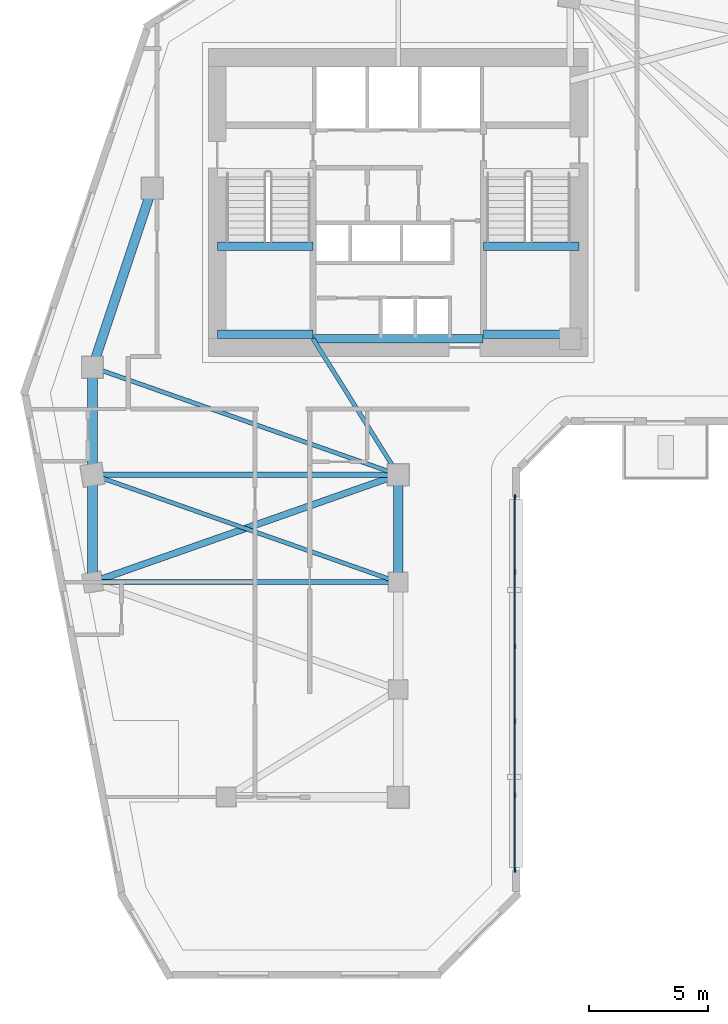
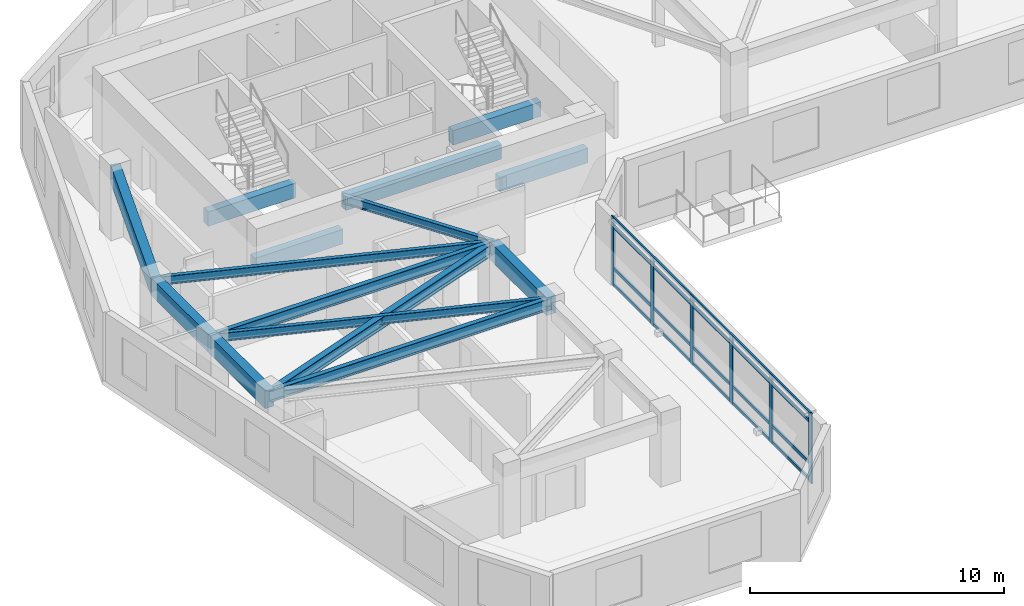
# One storey, part 2 of 12: 15 beams, 10 members, 1 element without a shape of its own.
"""IFC4 building model written with IfcOpenShell, lengths in metres."""

from ifc_helpers import new_model, si_unit, direction, frame, origin, origin_2d, place, context, subcontext, project, spatial, rectangle, i_section, extrude, source, transform, mapped, material, material_profile, profile_set, type_object, element, aggregate, save


model = new_model("IFC4")

# Units and contexts
model_context = context("Model", 3, precision=1e-05, world=origin(), true_north=direction((0.0, 1.0)))
body_context = subcontext(model_context, "Body", "Model", "MODEL_VIEW")
ifc_project = project(units=[si_unit("LENGTHUNIT", "METRE"), si_unit("AREAUNIT", "SQUARE_METRE"), si_unit("VOLUMEUNIT", "CUBIC_METRE"), si_unit("PLANEANGLEUNIT", "RADIAN"), si_unit("MASSUNIT", "GRAM", prefix="KILO")], contexts=[model_context])

# Site, building, storey
site_placement = place(None, origin())
site = spatial("IfcSite", under=ifc_project, at=site_placement, CompositionType="ELEMENT")
building_placement = place(site_placement, origin())
building = spatial("IfcBuilding", under=site, at=building_placement, Name="Calvemar Wedge Station Tower", CompositionType="ELEMENT")
storey_placement = place(building_placement, frame((0.0, 0.0, 135.800048828125)))
storey = spatial("IfcBuildingStorey", under=building, at=storey_placement, Name="L33", CompositionType="ELEMENT", Elevation=135.800048828125)

# Beams
ifc_material_1 = material(Name="Concrete C60", Category="concrete")
ifc_material_profile_1 = material_profile(ifc_material_1, rectangle(XDim=0.39990234375, YDim=0.85009765625, at=origin_2d()), Name="RC400x850")
ifc_profile_set_1 = profile_set([ifc_material_profile_1], Name="Concrete C60")
beam_type_1 = type_object("IfcBeamType", Name="BM-SP1-850", PredefinedType="SPANDREL", material=ifc_profile_set_1)
shared_shape_1 = source(origin(), body_context, "Body", "SweptSolid", [
    extrude(rectangle(XDim=0.39990234375, YDim=0.85009765625, at=origin_2d()), origin(), (0.0, 0.0, 1.0), 7.90576171875),
])
beam_1_placement = place(storey_placement, frame((11.0, 33.0, 2.875), z_axis=(0.316227766017, 0.948683298051, 0.0), x_axis=(-0.948683298051, 0.316227766017, 0.0)))
element("IfcBeam", 1, at=beam_1_placement, inside=storey, type_object=beam_type_1, Name="Storey L33 Spandrel T-NW1-T-NW2", PredefinedType="SPANDREL", context=body_context, shape_type="MappedRepresentation", body=[
    mapped(shared_shape_1, transform((0.0, 0.0, 0.0), scale=1.0)),
])
shared_shape_2 = source(origin(), body_context, "Body", "SweptSolid", [
    extrude(rectangle(XDim=0.39990234375, YDim=0.85009765625, at=origin_2d()), origin(), (0.0, 0.0, 1.0), 4.5),
])
for number, where, z_axis, x_axis, name in (
    (2, (11.0, 33.0, 2.875), (0.0, -1.0, 0.0), (1.0, 0.0, 0.0), "Storey L33 Spandrel T-NW1-T-SW1"),
    (3, (11.0, 28.5, 2.875), (0.0, -1.0, 0.0), (1.0, 0.0, 0.0), "Storey L33 Spandrel T-SW1-T-SW2"),
    (4, (23.800048828125, 28.5, 2.875), (0.0, -1.0, 0.0), (1.0, 0.0, 0.0), "Storey L33 Spandrel T-SE1-T-SE2"),
):
    element("IfcBeam", number, at=place(storey_placement, frame(where, z_axis=z_axis, x_axis=x_axis)), inside=storey, type_object=beam_type_1, Name=name, PredefinedType="SPANDREL", context=body_context, shape_type="MappedRepresentation", body=[
        mapped(shared_shape_2, transform((0.0, 0.0, 0.0), scale=1.0)),
    ])
ifc_material_2 = material(Name="Structural steel ASTM A572 Grade 50", Category="steel")
ifc_material_profile_2 = material_profile(ifc_material_2, i_section(OverallWidth=0.177978515625, OverallDepth=0.406982421875, WebThickness=0.0078125, FlangeThickness=0.0126953125, FilletRadius=0.010009765625, at=origin_2d()), Name="W410x60")
ifc_profile_set_2 = profile_set([ifc_material_profile_2], Name="Structural steel ASTM A572 Grade 50")
beam_type_2 = type_object("IfcBeamType", Name="BM-J3-W410", PredefinedType="JOIST", material=ifc_profile_set_2)
shared_shape_3 = source(origin(), body_context, "Body", "SweptSolid", [
    extrude(i_section(OverallWidth=0.177978515625, OverallDepth=0.406982421875, WebThickness=0.0078125, FlangeThickness=0.0126953125, FilletRadius=0.010009765625, at=origin_2d()), origin(), (0.0, 0.0, 1.0), 13.568115234375),
])
for number, where, z_axis, x_axis, name in (
    (5, (11.0, 33.0, 3.096435546875), (0.943398221169, -0.331662171939, 0.0), (0.331662171939, 0.943398221169, 0.0), "Storey L33 Floor Beam T-NW1-T-SE1"),
    (6, (11.0, 28.5, 3.096435546875), (0.943398221169, -0.331662171939, 0.0), (0.331662171939, 0.943398221169, 0.0), "Storey L33 Floor Beam T-SW1-T-SE2"),
):
    element("IfcBeam", number, at=place(storey_placement, frame(where, z_axis=z_axis, x_axis=x_axis)), inside=storey, type_object=beam_type_2, Name=name, PredefinedType="JOIST", context=body_context, shape_type="MappedRepresentation", body=[
        mapped(shared_shape_3, transform((0.0, 0.0, 0.0), scale=1.0)),
    ])
ifc_material_profile_3 = material_profile(ifc_material_2, i_section(OverallWidth=0.279052734375, OverallDepth=0.553955078125, WebThickness=0.017578125, FlangeThickness=0.029541015625, FilletRadius=0.014892578125, at=origin_2d()), Name="W530x196")
ifc_profile_set_3 = profile_set([ifc_material_profile_3], Name="Structural steel ASTM A572 Grade 50")
beam_type_3 = type_object("IfcBeamType", Name="BM-SB3-W530H", PredefinedType="BEAM", material=ifc_profile_set_3)
shared_shape_4 = source(origin(), body_context, "Body", "SweptSolid", [
    extrude(i_section(OverallWidth=0.279052734375, OverallDepth=0.553955078125, WebThickness=0.017578125, FlangeThickness=0.029541015625, FilletRadius=0.014892578125, at=origin_2d()), origin(), (0.0, 0.0, 1.0), 13.568115234375),
])
beam_2_placement = place(storey_placement, frame((23.800048828125, 28.5, 3.02294921875), z_axis=(-0.943398221169, -0.331662171939, 0.0), x_axis=(0.331662171939, -0.943398221169, 0.0)))
element("IfcBeam", 7, at=beam_2_placement, inside=storey, type_object=beam_type_3, Name="Storey L33 Floor Beam T-SE1-T-SW2", PredefinedType="BEAM", context=body_context, shape_type="MappedRepresentation", body=[
    mapped(shared_shape_4, transform((0.0, 0.0, 0.0), scale=1.0)),
])
shared_shape_5 = source(origin(), body_context, "Body", "SweptSolid", [
    extrude(i_section(OverallWidth=0.177978515625, OverallDepth=0.406982421875, WebThickness=0.0078125, FlangeThickness=0.0126953125, FilletRadius=0.010009765625, at=origin_2d()), origin(), (0.0, 0.0, 1.0), 6.7255859375),
])
beam_3_placement = place(storey_placement, frame((20.22998046875, 34.199951171875, 3.096435546875), z_axis=(0.530811158438, -0.847490126242, 0.0), x_axis=(0.847490126242, 0.530811158438, 0.0)))
element("IfcBeam", 8, at=beam_3_placement, inside=storey, type_object=beam_type_2, Name="Storey L33 Core-to-Column Joist CJ-S2", PredefinedType="JOIST", context=body_context, shape_type="MappedRepresentation", body=[
    mapped(shared_shape_5, transform((0.0, 0.0, 0.0), scale=1.0)),
])
ifc_material_3 = material(Name="Concrete C70", Category="concrete")
ifc_material_profile_4 = material_profile(ifc_material_3, rectangle(XDim=0.35009765625, YDim=0.699951171875, at=origin_2d()), Name="RC350x700")
ifc_profile_set_4 = profile_set([ifc_material_profile_4], Name="Concrete C70")
beam_type_4 = type_object("IfcBeamType", Name="BM-LN1-700", PredefinedType="LINTEL", material=ifc_profile_set_4)
shared_shape_6 = source(origin(), body_context, "Body", "SweptSolid", [
    extrude(rectangle(XDim=0.35009765625, YDim=0.699951171875, at=origin_2d()), origin(), (0.0, 0.0, 1.0), 7.10009765625),
])
beam_4_placement = place(storey_placement, frame((20.25, 34.199951171875, 2.949951171875), z_axis=(1.0, 0.0, 0.0), x_axis=(0.0, 1.0, 0.0)))
element("IfcBeam", 9, at=beam_4_placement, inside=storey, type_object=beam_type_4, Name="Storey L33 Core Coupling Lintel South", PredefinedType="LINTEL", context=body_context, shape_type="MappedRepresentation", body=[
    mapped(shared_shape_6, transform((0.0, 0.0, 0.0), scale=1.0)),
])
shared_shape_7 = source(origin(), body_context, "Body", "SweptSolid", [
    extrude(rectangle(XDim=0.35009765625, YDim=0.699951171875, at=origin_2d()), origin(), (0.0, 0.0, 1.0), 4.0048828125),
])
for number, where, z_axis, x_axis, name in (
    (10, (16.22509765625, 34.3798828125, 1.25), (1.0, 0.0, 0.0), (0.0, 1.0, 0.0), "Storey L33 Stair ST-C1 Half-Landing Beam 1A"),
    (11, (16.22509765625, 38.070068359375, 1.25), (1.0, 0.0, 0.0), (0.0, 1.0, 0.0), "Storey L33 Stair ST-C1 Half-Landing Beam 1B"),
    (12, (27.3701171875, 34.3798828125, 1.25), (1.0, 0.0, 0.0), (0.0, 1.0, 0.0), "Storey L33 Stair ST-C2 Half-Landing Beam 1A"),
    (13, (27.3701171875, 38.070068359375, 1.25), (1.0, 0.0, 0.0), (0.0, 1.0, 0.0), "Storey L33 Stair ST-C2 Half-Landing Beam 1B"),
):
    element("IfcBeam", number, at=place(storey_placement, frame(where, z_axis=z_axis, x_axis=x_axis)), inside=storey, type_object=beam_type_4, Name=name, PredefinedType="LINTEL", context=body_context, shape_type="MappedRepresentation", body=[
        mapped(shared_shape_7, transform((0.0, 0.0, 0.0), scale=1.0)),
    ])
ifc_material_profile_5 = material_profile(ifc_material_2, i_section(OverallWidth=0.2109375, OverallDepth=0.5390625, WebThickness=0.01171875, FlangeThickness=0.018798828125, FilletRadius=0.012939453125, at=origin_2d()), Name="W530x109")
ifc_profile_set_5 = profile_set([ifc_material_profile_5], Name="Structural steel ASTM A572 Grade 50")
beam_type_5 = type_object("IfcBeamType", Name="BM-SB4-W530", PredefinedType="BEAM", material=ifc_profile_set_5)
shared_shape_8 = source(origin(), body_context, "Body", "SweptSolid", [
    extrude(i_section(OverallWidth=0.2109375, OverallDepth=0.5390625, WebThickness=0.01171875, FlangeThickness=0.018798828125, FilletRadius=0.012939453125, at=origin_2d()), origin(), (0.0, 0.0, 1.0), 12.800048828125),
])
for number, where, z_axis, x_axis, name in (
    (14, (11.0, 28.5, 3.030517578125), (1.0, 0.0, 0.0), (0.0, 1.0, 0.0), "Storey L33 Floor Beam T-SW1-T-SE1"),
    (15, (11.0, 24.0, 3.030517578125), (1.0, 0.0, 0.0), (0.0, 1.0, 0.0), "Storey L33 Floor Beam T-SW2-T-SE2"),
):
    element("IfcBeam", number, at=place(storey_placement, frame(where, z_axis=z_axis, x_axis=x_axis)), inside=storey, type_object=beam_type_5, Name=name, PredefinedType="BEAM", context=body_context, shape_type="MappedRepresentation", body=[
        mapped(shared_shape_8, transform((0.0, 0.0, 0.0), scale=1.0)),
    ])

# Curtain wall, members
ifc_material_4 = material(Name="Anodised aluminium 6063-T6", Category="aluminium")
curtain_wall_type = type_object("IfcCurtainWallType", Name="CW2", PredefinedType="NOTDEFINED", material=ifc_material_4)
curtain_wall_placement = place(storey_placement, origin())
curtain_wall = element("IfcCurtainWall", 16, at=curtain_wall_placement, inside=storey, type_object=curtain_wall_type, Name="Storey L33 CW2 Recessed Unitised Curtain Wall 4", PredefinedType="NOTDEFINED")
ifc_material_profile_6 = material_profile(ifc_material_4, rectangle(XDim=0.074951171875, YDim=0.14990234375, at=origin_2d()), Name="AL-TRN-75x150")
ifc_profile_set_6 = profile_set([ifc_material_profile_6], Name="Anodised aluminium 6063-T6")
member_type_1 = type_object("IfcMemberType", Name="CW2-TRN", PredefinedType="USERDEFINED", material=ifc_profile_set_6)
shared_shape_9 = source(origin(), body_context, "Body", "SweptSolid", [
    extrude(rectangle(XDim=0.074951171875, YDim=0.14990234375, at=origin_2d()), origin(), (0.0, 0.0, 1.0), 15.592041015625),
])
member_1_placement = place(storey_placement, frame((28.68603515625, 11.962158203125, 0.06005859375), z_axis=(0.0, 1.0, 0.0), x_axis=(-1.0, 0.0, 0.0)))
member_1 = element("IfcMember", 17, at=member_1_placement, type_object=member_type_1, Name="CW2 transom 1", ObjectType="TRANSOM", PredefinedType="USERDEFINED", context=body_context, shape_type="MappedRepresentation", body=[
    mapped(shared_shape_9, transform((0.0, 0.0, 0.0), scale=1.0)),
])
member_2_placement = place(storey_placement, frame((28.68603515625, 11.962158203125, 0.849853515625), z_axis=(0.0, 1.0, 0.0), x_axis=(-1.0, 0.0, 0.0)))
member_2 = element("IfcMember", 18, at=member_2_placement, type_object=member_type_1, Name="CW2 transom 2", ObjectType="TRANSOM", PredefinedType="USERDEFINED", context=body_context, shape_type="MappedRepresentation", body=[
    mapped(shared_shape_9, transform((0.0, 0.0, 0.0), scale=1.0)),
])
member_3_placement = place(storey_placement, frame((28.68603515625, 11.962158203125, 2.849853515625), z_axis=(0.0, 1.0, 0.0), x_axis=(-1.0, 0.0, 0.0)))
member_3 = element("IfcMember", 19, at=member_3_placement, type_object=member_type_1, Name="CW2 transom 3", ObjectType="TRANSOM", PredefinedType="USERDEFINED", context=body_context, shape_type="MappedRepresentation", body=[
    mapped(shared_shape_9, transform((0.0, 0.0, 0.0), scale=1.0)),
])
member_4_placement = place(storey_placement, frame((28.68603515625, 11.962158203125, 3.239990234375), z_axis=(0.0, 1.0, 0.0), x_axis=(-1.0, 0.0, 0.0)))
member_4 = element("IfcMember", 20, at=member_4_placement, type_object=member_type_1, Name="CW2 transom 4", ObjectType="TRANSOM", PredefinedType="USERDEFINED", context=body_context, shape_type="MappedRepresentation", body=[
    mapped(shared_shape_9, transform((0.0, 0.0, 0.0), scale=1.0)),
])
ifc_material_profile_7 = material_profile(ifc_material_4, rectangle(XDim=0.074951171875, YDim=0.219970703125, at=origin_2d()), Name="AL-MUL-75x220")
ifc_profile_set_7 = profile_set([ifc_material_profile_7], Name="Anodised aluminium 6063-T6")
member_type_2 = type_object("IfcMemberType", Name="CW2-MUL", PredefinedType="MULLION", material=ifc_profile_set_7)
shared_shape_10 = source(origin(), body_context, "Body", "SweptSolid", [
    extrude(rectangle(XDim=0.074951171875, YDim=0.219970703125, at=origin_2d()), origin(), (0.0, 0.0, 1.0), 3.35009765625),
])
member_5_placement = place(storey_placement, frame((28.68603515625, 11.962158203125, -0.050048828125), z_axis=(0.0, 0.0, 1.0), x_axis=(1.0, 0.0, 0.0)))
member_5 = element("IfcMember", 21, at=member_5_placement, type_object=member_type_2, Name="CW2 mullion 1", PredefinedType="MULLION", context=body_context, shape_type="MappedRepresentation", body=[
    mapped(shared_shape_10, transform((0.0, 0.0, 0.0), scale=1.0)),
])
member_6_placement = place(storey_placement, frame((28.68603515625, 15.08056640625, -0.050048828125), z_axis=(0.0, 0.0, 1.0), x_axis=(1.0, 0.0, 0.0)))
member_6 = element("IfcMember", 22, at=member_6_placement, type_object=member_type_2, Name="CW2 mullion 2", PredefinedType="MULLION", context=body_context, shape_type="MappedRepresentation", body=[
    mapped(shared_shape_10, transform((0.0, 0.0, 0.0), scale=1.0)),
])
member_7_placement = place(storey_placement, frame((28.68603515625, 18.198974609375, -0.050048828125), z_axis=(0.0, 0.0, 1.0), x_axis=(1.0, 0.0, 0.0)))
member_7 = element("IfcMember", 23, at=member_7_placement, type_object=member_type_2, Name="CW2 mullion 3", PredefinedType="MULLION", context=body_context, shape_type="MappedRepresentation", body=[
    mapped(shared_shape_10, transform((0.0, 0.0, 0.0), scale=1.0)),
])
member_8_placement = place(storey_placement, frame((28.68603515625, 21.3173828125, -0.050048828125), z_axis=(0.0, 0.0, 1.0), x_axis=(1.0, 0.0, 0.0)))
member_8 = element("IfcMember", 24, at=member_8_placement, type_object=member_type_2, Name="CW2 mullion 4", PredefinedType="MULLION", context=body_context, shape_type="MappedRepresentation", body=[
    mapped(shared_shape_10, transform((0.0, 0.0, 0.0), scale=1.0)),
])
member_9_placement = place(storey_placement, frame((28.68603515625, 24.435791015625, -0.050048828125), z_axis=(0.0, 0.0, 1.0), x_axis=(1.0, 0.0, 0.0)))
member_9 = element("IfcMember", 25, at=member_9_placement, type_object=member_type_2, Name="CW2 mullion 5", PredefinedType="MULLION", context=body_context, shape_type="MappedRepresentation", body=[
    mapped(shared_shape_10, transform((0.0, 0.0, 0.0), scale=1.0)),
])
member_10_placement = place(storey_placement, frame((28.68603515625, 27.55419921875, -0.050048828125), z_axis=(0.0, 0.0, 1.0), x_axis=(1.0, 0.0, 0.0)))
member_10 = element("IfcMember", 26, at=member_10_placement, type_object=member_type_2, Name="CW2 mullion 6", PredefinedType="MULLION", context=body_context, shape_type="MappedRepresentation", body=[
    mapped(shared_shape_10, transform((0.0, 0.0, 0.0), scale=1.0)),
])
aggregate(curtain_wall, [member_5, member_6, member_7, member_8, member_9, member_10, member_1, member_2, member_3, member_4])

save(model, "model.ifc")
